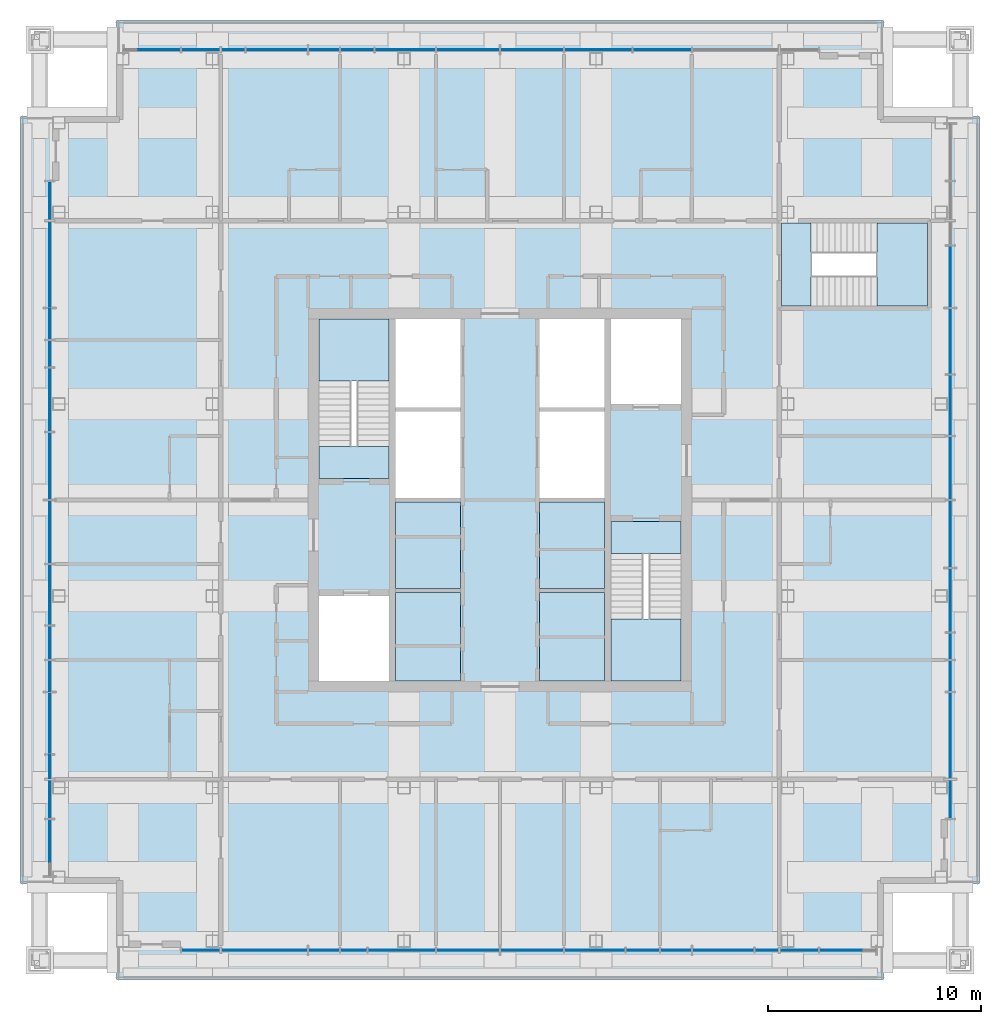
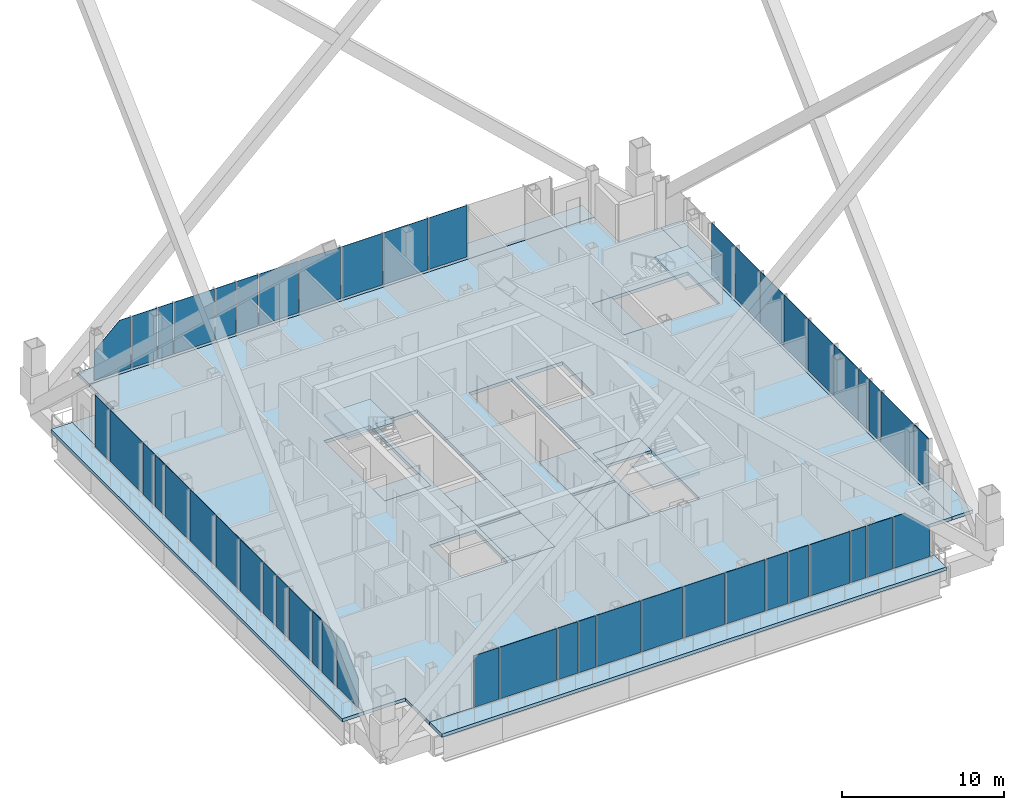
# One storey, part 11 of 19: 49 plates, 15 slabs, 7 elements without a shape of their own.
"""IFC4 building model written with IfcOpenShell, lengths in metres."""

from ifc_helpers import new_model, si_unit, direction, frame, origin, origin_2d, place, context, subcontext, project, spatial, polyline, rectangle, outline, extrude, material, layer, layer_set, type_object, element, aggregate, save


model = new_model("IFC4")

# Units and contexts
model_context = context("Model", 3, precision=1e-05, world=origin(), true_north=direction((0.0, 1.0)))
body_context = subcontext(model_context, "Body", "Model", "MODEL_VIEW")
ifc_project = project(units=[si_unit("LENGTHUNIT", "METRE"), si_unit("AREAUNIT", "SQUARE_METRE"), si_unit("VOLUMEUNIT", "CUBIC_METRE"), si_unit("PLANEANGLEUNIT", "RADIAN"), si_unit("MASSUNIT", "GRAM", prefix="KILO")], contexts=[model_context])

# Site, building, storey
site_placement = place(None, origin())
site = spatial("IfcSite", under=ifc_project, at=site_placement, CompositionType="ELEMENT")
building_placement = place(site_placement, origin())
building = spatial("IfcBuilding", under=site, at=building_placement, Name="Malebo Sky Hospital", CompositionType="ELEMENT")
storey_placement = place(building_placement, frame((0.0, 0.0, 250.0)))
storey = spatial("IfcBuildingStorey", under=building, at=storey_placement, Name="L60", CompositionType="ELEMENT", Elevation=250.0)

# Slabs
ifc_material_1 = material(Name="Concrete C40/50", Category="concrete")
ifc_layer_1 = layer(ifc_material_1, 0.25)
ifc_layer_set_1 = layer_set([ifc_layer_1], Name="COMPOSITE FLOOR SLAB 250")
slab_type_1 = type_object("IfcSlabType", Name="COMPOSITE FLOOR SLAB 250", PredefinedType="FLOOR", material=ifc_layer_set_1)
slab_1_placement = place(storey_placement, frame((0.0, 0.0, -0.25)))
element("IfcSlab", 1, at=slab_1_placement, inside=storey, type_object=slab_type_1, Name="Floor slab L60", PredefinedType="FLOOR", context=body_context, shape_type="SweptSolid", body=[
    extrude(outline(polyline([(42.0, 83.0), (42.0, 80.0), (39.0, 80.0), (39.0, 44.0), (42.0, 44.0), (42.0, 41.0), (78.0, 41.0), (78.0, 44.0), (81.0, 44.0), (81.0, 80.0), (78.0, 80.0), (78.0, 83.0), (42.0, 83.0)]), holes=[polyline([(55.10009765625, 70.5), (58.14990234375, 70.5), (58.14990234375, 53.5), (55.10009765625, 53.5), (55.10009765625, 70.5)]), polyline([(64.89990234375, 70.5), (64.89990234375, 53.5), (61.85009765625, 53.5), (61.85009765625, 70.5), (64.89990234375, 70.5)]), polyline([(54.800048828125, 63.0), (51.5, 63.0), (51.5, 70.5), (54.800048828125, 70.5), (54.800048828125, 63.0)]), polyline([(51.5, 53.5), (51.5, 57.5), (54.800048828125, 57.5), (54.800048828125, 53.5), (51.5, 53.5)]), polyline([(65.199951171875, 61.0), (68.5, 61.0), (68.5, 53.5), (65.199951171875, 53.5), (65.199951171875, 61.0)]), polyline([(68.5, 70.5), (68.5, 66.5), (65.199951171875, 66.5), (65.199951171875, 70.5), (68.5, 70.5)]), polyline([(80.050048828125, 71.10009765625), (73.199951171875, 71.10009765625), (73.199951171875, 75.0), (80.050048828125, 75.0), (80.050048828125, 71.10009765625)])]), origin(), (0.0, 0.0, 1.0), 0.25),
])
ifc_layer_2 = layer(ifc_material_1, 0.25)
ifc_layer_set_2 = layer_set([ifc_layer_2], Name="ROOF SLAB 250")
slab_type_2 = type_object("IfcSlabType", Name="ROOF SLAB 250", PredefinedType="ROOF", material=ifc_layer_set_2)
slab_2_placement = place(storey_placement, frame((0.0, 0.0, -0.25)))
element("IfcSlab", 2, at=slab_2_placement, inside=storey, type_object=slab_type_2, Name="Setback roof ledge L60 part 1", PredefinedType="ROOF", context=body_context, shape_type="SweptSolid", body=[
    extrude(outline(polyline([(78.0, 41.0), (42.0, 41.0), (42.0, 39.5), (78.0, 39.5), (78.0, 41.0)])), origin(), (0.0, 0.0, 1.0), 0.25),
])
slab_3_placement = place(storey_placement, frame((0.0, 0.0, -0.25)))
element("IfcSlab", 3, at=slab_3_placement, inside=storey, type_object=slab_type_2, Name="Setback roof ledge L60 part 2", PredefinedType="ROOF", context=body_context, shape_type="SweptSolid", body=[
    extrude(outline(polyline([(39.0, 44.0), (39.0, 80.0), (37.5, 80.0), (37.5, 44.0), (39.0, 44.0)])), origin(), (0.0, 0.0, 1.0), 0.25),
])
slab_4_placement = place(storey_placement, frame((0.0, 0.0, -0.25)))
element("IfcSlab", 4, at=slab_4_placement, inside=storey, type_object=slab_type_2, Name="Setback roof ledge L60 part 3", PredefinedType="ROOF", context=body_context, shape_type="SweptSolid", body=[
    extrude(outline(polyline([(81.0, 80.0), (81.0, 44.0), (82.5, 44.0), (82.5, 80.0), (81.0, 80.0)])), origin(), (0.0, 0.0, 1.0), 0.25),
])
slab_5_placement = place(storey_placement, frame((0.0, 0.0, -0.25)))
element("IfcSlab", 5, at=slab_5_placement, inside=storey, type_object=slab_type_2, Name="Setback roof ledge L60 part 4", PredefinedType="ROOF", context=body_context, shape_type="SweptSolid", body=[
    extrude(outline(polyline([(42.0, 83.0), (78.0, 83.0), (78.0, 84.5), (42.0, 84.5), (42.0, 83.0)])), origin(), (0.0, 0.0, 1.0), 0.25),
])
ifc_layer_3 = layer(ifc_material_1, 0.25)
ifc_layer_set_3 = layer_set([ifc_layer_3], Name="SHAFT INFILL SLAB 250")
slab_type_3 = type_object("IfcSlabType", Name="SHAFT INFILL SLAB 250", PredefinedType="FLOOR", material=ifc_layer_set_3)
slab_6_placement = place(storey_placement, frame((0.0, 0.0, -0.25)))
element("IfcSlab", 6, at=slab_6_placement, inside=storey, type_object=slab_type_3, Name="Shaft infill slab W1 L60", PredefinedType="FLOOR", context=body_context, shape_type="SweptSolid", body=[
    extrude(outline(polyline([(55.10009765625, 53.5), (58.14990234375, 53.5), (58.14990234375, 57.64990234375), (55.10009765625, 57.64990234375), (55.10009765625, 53.5)])), origin(), (0.0, 0.0, 1.0), 0.25),
])
slab_7_placement = place(storey_placement, frame((0.0, 0.0, -0.25)))
element("IfcSlab", 7, at=slab_7_placement, inside=storey, type_object=slab_type_3, Name="Shaft infill slab W2 L60", PredefinedType="FLOOR", context=body_context, shape_type="SweptSolid", body=[
    extrude(outline(polyline([(55.10009765625, 57.85009765625), (58.14990234375, 57.85009765625), (58.14990234375, 61.89990234375), (55.10009765625, 61.89990234375), (55.10009765625, 57.85009765625)])), origin(), (0.0, 0.0, 1.0), 0.25),
])
slab_8_placement = place(storey_placement, frame((0.0, 0.0, -0.25)))
element("IfcSlab", 8, at=slab_8_placement, inside=storey, type_object=slab_type_3, Name="Shaft infill slab E1 L60", PredefinedType="FLOOR", context=body_context, shape_type="SweptSolid", body=[
    extrude(outline(polyline([(61.85009765625, 53.5), (64.89990234375, 53.5), (64.89990234375, 57.64990234375), (61.85009765625, 57.64990234375), (61.85009765625, 53.5)])), origin(), (0.0, 0.0, 1.0), 0.25),
])
slab_9_placement = place(storey_placement, frame((0.0, 0.0, -0.25)))
element("IfcSlab", 9, at=slab_9_placement, inside=storey, type_object=slab_type_3, Name="Shaft infill slab E2 L60", PredefinedType="FLOOR", context=body_context, shape_type="SweptSolid", body=[
    extrude(outline(polyline([(61.85009765625, 57.85009765625), (64.89990234375, 57.85009765625), (64.89990234375, 61.89990234375), (61.85009765625, 61.89990234375), (61.85009765625, 57.85009765625)])), origin(), (0.0, 0.0, 1.0), 0.25),
])

# Stair, slabs
stair_type_1 = type_object("IfcStairType", Name="HALF-TURN STAIR 1500 R167", PredefinedType="HALF_TURN_STAIR", material=ifc_material_1)
stair_1_placement = place(storey_placement, origin())
stair_1 = element("IfcStair", 10, at=stair_1_placement, inside=storey, type_object=stair_type_1, Name="Stair S1 L60 type ST1", PredefinedType="HALF_TURN_STAIR")
ifc_layer_4 = layer(ifc_material_1, 0.199951171875)
ifc_layer_set_4 = layer_set([ifc_layer_4], Name="STAIR LANDING 200")
slab_type_4 = type_object("IfcSlabType", Name="STAIR LANDING 200", PredefinedType="LANDING", material=ifc_layer_set_4)
slab_10_placement = place(storey_placement, frame((0.0, 0.0, -0.199951171875)))
slab_10 = element("IfcSlab", 11, at=slab_10_placement, type_object=slab_type_4, Name="S1 landing 1", PredefinedType="LANDING", context=body_context, shape_type="SweptSolid", body=[
    extrude(outline(polyline([(51.5, 63.0), (54.800048828125, 63.0), (54.800048828125, 64.5), (51.5, 64.5), (51.5, 63.0)])), origin(), (0.0, 0.0, 1.0), 0.199951171875),
])
slab_11_placement = place(storey_placement, frame((0.0, 0.0, 1.800048828125)))
slab_11 = element("IfcSlab", 12, at=slab_11_placement, type_object=slab_type_4, Name="S1 landing 2", PredefinedType="LANDING", context=body_context, shape_type="SweptSolid", body=[
    extrude(outline(polyline([(51.5, 67.580078125), (54.800048828125, 67.580078125), (54.800048828125, 70.5), (51.5, 70.5), (51.5, 67.580078125)])), origin(), (0.0, 0.0, 1.0), 0.199951171875),
])
aggregate(stair_1, [slab_10, slab_11])

stair_2_placement = place(storey_placement, origin())
stair_2 = element("IfcStair", 13, at=stair_2_placement, inside=storey, type_object=stair_type_1, Name="Stair S2 L60 type ST1", PredefinedType="HALF_TURN_STAIR")
slab_12_placement = place(storey_placement, frame((0.0, 0.0, -0.199951171875)))
slab_12 = element("IfcSlab", 14, at=slab_12_placement, type_object=slab_type_4, Name="S2 landing 1", PredefinedType="LANDING", context=body_context, shape_type="SweptSolid", body=[
    extrude(outline(polyline([(65.199951171875, 59.5), (68.5, 59.5), (68.5, 61.0), (65.199951171875, 61.0), (65.199951171875, 59.5)])), origin(), (0.0, 0.0, 1.0), 0.199951171875),
])
slab_13_placement = place(storey_placement, frame((0.0, 0.0, 1.800048828125)))
slab_13 = element("IfcSlab", 15, at=slab_13_placement, type_object=slab_type_4, Name="S2 landing 2", PredefinedType="LANDING", context=body_context, shape_type="SweptSolid", body=[
    extrude(outline(polyline([(65.199951171875, 53.5), (68.5, 53.5), (68.5, 56.419921875), (65.199951171875, 56.419921875), (65.199951171875, 53.5)])), origin(), (0.0, 0.0, 1.0), 0.199951171875),
])
aggregate(stair_2, [slab_12, slab_13])

stair_type_2 = type_object("IfcStairType", Name="HALF-TURN STAIR 1400 R167", PredefinedType="HALF_TURN_STAIR", material=ifc_material_1)
stair_3_placement = place(storey_placement, origin())
stair_3 = element("IfcStair", 16, at=stair_3_placement, inside=storey, type_object=stair_type_2, Name="Stair S3 L60 type ST1B", PredefinedType="HALF_TURN_STAIR")
slab_14_placement = place(storey_placement, frame((0.0, 0.0, -0.199951171875)))
slab_14 = element("IfcSlab", 17, at=slab_14_placement, type_object=slab_type_4, Name="S3 landing 1", PredefinedType="LANDING", context=body_context, shape_type="SweptSolid", body=[
    extrude(outline(polyline([(73.199951171875, 71.10009765625), (73.199951171875, 75.0), (74.60009765625, 75.0), (74.60009765625, 71.10009765625), (73.199951171875, 71.10009765625)])), origin(), (0.0, 0.0, 1.0), 0.199951171875),
])
slab_15_placement = place(storey_placement, frame((0.0, 0.0, 1.800048828125)))
slab_15 = element("IfcSlab", 18, at=slab_15_placement, type_object=slab_type_4, Name="S3 landing 2", PredefinedType="LANDING", context=body_context, shape_type="SweptSolid", body=[
    extrude(outline(polyline([(77.679931640625, 71.10009765625), (77.679931640625, 75.0), (80.050048828125, 75.0), (80.050048828125, 71.10009765625), (77.679931640625, 71.10009765625)])), origin(), (0.0, 0.0, 1.0), 0.199951171875),
])
aggregate(stair_3, [slab_14, slab_15])

# Curtain wall, plates
ifc_material_2 = material(Name="Anodised aluminium, natural silver", Category="aluminium")
ifc_layer_5 = layer(ifc_material_2, 0.25)
ifc_layer_set_5 = layer_set([ifc_layer_5], Name="WARD CURTAIN WALL NORTH AND SOUTH")
curtain_wall_type_1 = type_object("IfcCurtainWallType", Name="WARD CURTAIN WALL NORTH AND SOUTH", PredefinedType="NOTDEFINED", material=ifc_layer_set_5)
curtain_wall_1_placement = place(storey_placement, origin())
curtain_wall_1 = element("IfcCurtainWall", 19, at=curtain_wall_1_placement, inside=storey, type_object=curtain_wall_type_1, Name="NS curtain wall N", PredefinedType="NOTDEFINED")
ifc_material_3 = material(Name="Clear low-iron double glazing", Category="glass")
ifc_layer_6 = layer(ifc_material_3, 0.031982421875)
ifc_layer_set_6 = layer_set([ifc_layer_6], Name="VISION PANEL CLEAR 32")
plate_type = type_object("IfcPlateType", Name="VISION PANEL CLEAR 32", PredefinedType="CURTAIN_PANEL", material=ifc_layer_set_6)
plate_1_placement = place(storey_placement, frame((43.682373046875, 83.125, 0.10009765625), z_axis=(0.0, 0.0, 1.0), x_axis=(1.0, 0.0, 0.0)))
plate_1 = element("IfcPlate", 20, at=plate_1_placement, type_object=plate_type, Name="Panel 1", PredefinedType="CURTAIN_PANEL", context=body_context, shape_type="SweptSolid", body=[
    extrude(outline(polyline([(-1.307373046875, 0.0), (1.307373046875, 0.0), (1.307373046875, 3.889892578125), (0.50927734375, 3.889892578125), (-1.307373046875, 2.18896484375), (-1.307373046875, 0.0)])), frame((0.0, 0.01611328125, 0.0), z_axis=(0.0, -1.0, 0.0), x_axis=(1.0, 0.0, 0.0)), (0.0, 0.0, 1.0), 0.031982421875),
])
plate_2_placement = place(storey_placement, frame((45.963623046875, 83.125, 0.10009765625), z_axis=(0.0, 0.0, 1.0), x_axis=(1.0, 0.0, 0.0)))
plate_2 = element("IfcPlate", 21, at=plate_2_placement, type_object=plate_type, Name="Panel 2", PredefinedType="CURTAIN_PANEL", context=body_context, shape_type="SweptSolid", body=[
    extrude(rectangle(XDim=1.797607421875, YDim=0.031982421875, at=origin_2d()), origin(), (0.0, 0.0, 1.0), 3.889892578125),
])
plate_3_placement = place(storey_placement, frame((47.477294921875, 83.125, 0.10009765625), z_axis=(0.0, 0.0, 1.0), x_axis=(1.0, 0.0, 0.0)))
plate_3 = element("IfcPlate", 22, at=plate_3_placement, type_object=plate_type, Name="Panel 3", PredefinedType="CURTAIN_PANEL", context=body_context, shape_type="SweptSolid", body=[
    extrude(rectangle(XDim=1.07958984375, YDim=0.031982421875, at=origin_2d()), origin(), (0.0, 0.0, 1.0), 3.889892578125),
])
plate_4_placement = place(storey_placement, frame((49.52734375, 83.125, 0.10009765625), z_axis=(0.0, 0.0, 1.0), x_axis=(1.0, 0.0, 0.0)))
plate_4 = element("IfcPlate", 23, at=plate_4_placement, type_object=plate_type, Name="Panel 4", PredefinedType="CURTAIN_PANEL", context=body_context, shape_type="SweptSolid", body=[
    extrude(rectangle(XDim=2.87060546875, YDim=0.031982421875, at=origin_2d()), origin(), (0.0, 0.0, 1.0), 3.889892578125),
])
plate_5_placement = place(storey_placement, frame((51.75, 83.125, 0.10009765625), z_axis=(0.0, 0.0, 1.0), x_axis=(1.0, 0.0, 0.0)))
plate_5 = element("IfcPlate", 24, at=plate_5_placement, type_object=plate_type, Name="Panel 5", PredefinedType="CURTAIN_PANEL", context=body_context, shape_type="SweptSolid", body=[
    extrude(rectangle(XDim=1.425048828125, YDim=0.031982421875, at=origin_2d()), origin(), (0.0, 0.0, 1.0), 3.889892578125),
])
plate_6_placement = place(storey_placement, frame((53.304443359375, 83.125, 0.10009765625), z_axis=(0.0, 0.0, 1.0), x_axis=(1.0, 0.0, 0.0)))
plate_6 = element("IfcPlate", 25, at=plate_6_placement, type_object=plate_type, Name="Panel 6", PredefinedType="CURTAIN_PANEL", context=body_context, shape_type="SweptSolid", body=[
    extrude(rectangle(XDim=1.5341796875, YDim=0.031982421875, at=origin_2d()), origin(), (0.0, 0.0, 1.0), 3.889892578125),
])
plate_7_placement = place(storey_placement, frame((55.554443359375, 83.125, 0.10009765625), z_axis=(0.0, 0.0, 1.0), x_axis=(1.0, 0.0, 0.0)))
plate_7 = element("IfcPlate", 26, at=plate_7_placement, type_object=plate_type, Name="Panel 7", PredefinedType="CURTAIN_PANEL", context=body_context, shape_type="SweptSolid", body=[
    extrude(rectangle(XDim=2.81591796875, YDim=0.031982421875, at=origin_2d()), origin(), (0.0, 0.0, 1.0), 3.889892578125),
])
plate_8_placement = place(storey_placement, frame((58.5, 83.125, 0.10009765625), z_axis=(0.0, 0.0, 1.0), x_axis=(1.0, 0.0, 0.0)))
plate_8 = element("IfcPlate", 27, at=plate_8_placement, type_object=plate_type, Name="Panel 8", PredefinedType="CURTAIN_PANEL", context=body_context, shape_type="SweptSolid", body=[
    extrude(rectangle(XDim=2.925048828125, YDim=0.031982421875, at=origin_2d()), origin(), (0.0, 0.0, 1.0), 3.889892578125),
])
plate_9_placement = place(storey_placement, frame((61.5, 83.125, 0.10009765625), z_axis=(0.0, 0.0, 1.0), x_axis=(1.0, 0.0, 0.0)))
plate_9 = element("IfcPlate", 28, at=plate_9_placement, type_object=plate_type, Name="Panel 9", PredefinedType="CURTAIN_PANEL", context=body_context, shape_type="SweptSolid", body=[
    extrude(rectangle(XDim=2.925048828125, YDim=0.031982421875, at=origin_2d()), origin(), (0.0, 0.0, 1.0), 3.889892578125),
])
plate_10_placement = place(storey_placement, frame((64.609130859375, 83.125, 0.10009765625), z_axis=(0.0, 0.0, 1.0), x_axis=(1.0, 0.0, 0.0)))
plate_10 = element("IfcPlate", 29, at=plate_10_placement, type_object=plate_type, Name="Panel 10", PredefinedType="CURTAIN_PANEL", context=body_context, shape_type="SweptSolid", body=[
    extrude(rectangle(XDim=3.143310546875, YDim=0.031982421875, at=origin_2d()), origin(), (0.0, 0.0, 1.0), 3.889892578125),
])
plate_11_placement = place(storey_placement, frame((67.609130859375, 83.125, 0.10009765625), z_axis=(0.0, 0.0, 1.0), x_axis=(1.0, 0.0, 0.0)))
plate_11 = element("IfcPlate", 30, at=plate_11_placement, type_object=plate_type, Name="Panel 11", PredefinedType="CURTAIN_PANEL", context=body_context, shape_type="SweptSolid", body=[
    extrude(rectangle(XDim=2.706787109375, YDim=0.031982421875, at=origin_2d()), origin(), (0.0, 0.0, 1.0), 3.889892578125),
])
aggregate(curtain_wall_1, [plate_1, plate_2, plate_3, plate_4, plate_5, plate_6, plate_7, plate_8, plate_9, plate_10, plate_11])

ifc_layer_7 = layer(ifc_material_2, 0.25)
ifc_layer_set_7 = layer_set([ifc_layer_7], Name="WARD CURTAIN WALL EAST AND WEST")
curtain_wall_type_2 = type_object("IfcCurtainWallType", Name="WARD CURTAIN WALL EAST AND WEST", PredefinedType="NOTDEFINED", material=ifc_layer_set_7)
curtain_wall_2_placement = place(storey_placement, origin())
curtain_wall_2 = element("IfcCurtainWall", 31, at=curtain_wall_2_placement, inside=storey, type_object=curtain_wall_type_2, Name="EW curtain wall W", PredefinedType="NOTDEFINED")
plate_12_placement = place(storey_placement, frame((38.875, 45.682373046875, 0.10009765625), z_axis=(0.0, 0.0, 1.0), x_axis=(0.0, 1.0, 0.0)))
plate_12 = element("IfcPlate", 32, at=plate_12_placement, type_object=plate_type, Name="Panel 1", PredefinedType="CURTAIN_PANEL", context=body_context, shape_type="SweptSolid", body=[
    extrude(outline(polyline([(-1.307373046875, 0.0), (1.307373046875, 0.0), (1.307373046875, 3.889892578125), (0.50927734375, 3.889892578125), (-1.307373046875, 2.18896484375), (-1.307373046875, 0.0)])), frame((0.0, 0.01611328125, 0.0), z_axis=(0.0, -1.0, 0.0), x_axis=(1.0, 0.0, 0.0)), (0.0, 0.0, 1.0), 0.031982421875),
])
plate_13_placement = place(storey_placement, frame((38.875, 47.963623046875, 0.10009765625), z_axis=(0.0, 0.0, 1.0), x_axis=(0.0, 1.0, 0.0)))
plate_13 = element("IfcPlate", 33, at=plate_13_placement, type_object=plate_type, Name="Panel 2", PredefinedType="CURTAIN_PANEL", context=body_context, shape_type="SweptSolid", body=[
    extrude(rectangle(XDim=1.797607421875, YDim=0.031982421875, at=origin_2d()), origin(), (0.0, 0.0, 1.0), 3.889892578125),
])
plate_14_placement = place(storey_placement, frame((38.875, 49.477294921875, 0.10009765625), z_axis=(0.0, 0.0, 1.0), x_axis=(0.0, 1.0, 0.0)))
plate_14 = element("IfcPlate", 34, at=plate_14_placement, type_object=plate_type, Name="Panel 3", PredefinedType="CURTAIN_PANEL", context=body_context, shape_type="SweptSolid", body=[
    extrude(rectangle(XDim=1.07958984375, YDim=0.031982421875, at=origin_2d()), origin(), (0.0, 0.0, 1.0), 3.889892578125),
])
plate_15_placement = place(storey_placement, frame((38.875, 51.52734375, 0.10009765625), z_axis=(0.0, 0.0, 1.0), x_axis=(0.0, 1.0, 0.0)))
plate_15 = element("IfcPlate", 35, at=plate_15_placement, type_object=plate_type, Name="Panel 4", PredefinedType="CURTAIN_PANEL", context=body_context, shape_type="SweptSolid", body=[
    extrude(rectangle(XDim=2.87060546875, YDim=0.031982421875, at=origin_2d()), origin(), (0.0, 0.0, 1.0), 3.889892578125),
])
plate_16_placement = place(storey_placement, frame((38.875, 53.75, 0.10009765625), z_axis=(0.0, 0.0, 1.0), x_axis=(0.0, 1.0, 0.0)))
plate_16 = element("IfcPlate", 36, at=plate_16_placement, type_object=plate_type, Name="Panel 5", PredefinedType="CURTAIN_PANEL", context=body_context, shape_type="SweptSolid", body=[
    extrude(rectangle(XDim=1.425048828125, YDim=0.031982421875, at=origin_2d()), origin(), (0.0, 0.0, 1.0), 3.889892578125),
])
plate_17_placement = place(storey_placement, frame((38.875, 55.304443359375, 0.10009765625), z_axis=(0.0, 0.0, 1.0), x_axis=(0.0, 1.0, 0.0)))
plate_17 = element("IfcPlate", 37, at=plate_17_placement, type_object=plate_type, Name="Panel 6", PredefinedType="CURTAIN_PANEL", context=body_context, shape_type="SweptSolid", body=[
    extrude(rectangle(XDim=1.5341796875, YDim=0.031982421875, at=origin_2d()), origin(), (0.0, 0.0, 1.0), 3.889892578125),
])
plate_18_placement = place(storey_placement, frame((38.875, 57.554443359375, 0.10009765625), z_axis=(0.0, 0.0, 1.0), x_axis=(0.0, 1.0, 0.0)))
plate_18 = element("IfcPlate", 38, at=plate_18_placement, type_object=plate_type, Name="Panel 7", PredefinedType="CURTAIN_PANEL", context=body_context, shape_type="SweptSolid", body=[
    extrude(rectangle(XDim=2.81591796875, YDim=0.031982421875, at=origin_2d()), origin(), (0.0, 0.0, 1.0), 3.889892578125),
])
plate_19_placement = place(storey_placement, frame((38.875, 60.5, 0.10009765625), z_axis=(0.0, 0.0, 1.0), x_axis=(0.0, 1.0, 0.0)))
plate_19 = element("IfcPlate", 39, at=plate_19_placement, type_object=plate_type, Name="Panel 8", PredefinedType="CURTAIN_PANEL", context=body_context, shape_type="SweptSolid", body=[
    extrude(rectangle(XDim=2.925048828125, YDim=0.031982421875, at=origin_2d()), origin(), (0.0, 0.0, 1.0), 3.889892578125),
])
plate_20_placement = place(storey_placement, frame((38.875, 63.595458984375, 0.10009765625), z_axis=(0.0, 0.0, 1.0), x_axis=(0.0, 1.0, 0.0)))
plate_20 = element("IfcPlate", 40, at=plate_20_placement, type_object=plate_type, Name="Panel 9", PredefinedType="CURTAIN_PANEL", context=body_context, shape_type="SweptSolid", body=[
    extrude(rectangle(XDim=3.115966796875, YDim=0.031982421875, at=origin_2d()), origin(), (0.0, 0.0, 1.0), 3.889892578125),
])
plate_21_placement = place(storey_placement, frame((38.875, 66.70458984375, 0.10009765625), z_axis=(0.0, 0.0, 1.0), x_axis=(0.0, 1.0, 0.0)))
plate_21 = element("IfcPlate", 41, at=plate_21_placement, type_object=plate_type, Name="Panel 10", PredefinedType="CURTAIN_PANEL", context=body_context, shape_type="SweptSolid", body=[
    extrude(rectangle(XDim=2.952392578125, YDim=0.031982421875, at=origin_2d()), origin(), (0.0, 0.0, 1.0), 3.889892578125),
])
plate_22_placement = place(storey_placement, frame((38.875, 68.859130859375, 0.10009765625), z_axis=(0.0, 0.0, 1.0), x_axis=(0.0, 1.0, 0.0)))
plate_22 = element("IfcPlate", 42, at=plate_22_placement, type_object=plate_type, Name="Panel 11", PredefinedType="CURTAIN_PANEL", context=body_context, shape_type="SweptSolid", body=[
    extrude(rectangle(XDim=1.206787109375, YDim=0.031982421875, at=origin_2d()), origin(), (0.0, 0.0, 1.0), 3.889892578125),
])
plate_23_placement = place(storey_placement, frame((38.875, 70.25, 0.10009765625), z_axis=(0.0, 0.0, 1.0), x_axis=(0.0, 1.0, 0.0)))
plate_23 = element("IfcPlate", 43, at=plate_23_placement, type_object=plate_type, Name="Panel 12", PredefinedType="CURTAIN_PANEL", context=body_context, shape_type="SweptSolid", body=[
    extrude(rectangle(XDim=1.425048828125, YDim=0.031982421875, at=origin_2d()), origin(), (0.0, 0.0, 1.0), 3.889892578125),
])
plate_24_placement = place(storey_placement, frame((38.875, 73.050048828125, 0.10009765625), z_axis=(0.0, 0.0, 1.0), x_axis=(0.0, 1.0, 0.0)))
plate_24 = element("IfcPlate", 44, at=plate_24_placement, type_object=plate_type, Name="Panel 13", PredefinedType="CURTAIN_PANEL", context=body_context, shape_type="SweptSolid", body=[
    extrude(rectangle(XDim=4.02490234375, YDim=0.031982421875, at=origin_2d()), origin(), (0.0, 0.0, 1.0), 3.889892578125),
])
plate_25_placement = place(storey_placement, frame((38.875, 76.03125, 0.10009765625), z_axis=(0.0, 0.0, 1.0), x_axis=(0.0, 1.0, 0.0)))
plate_25 = element("IfcPlate", 45, at=plate_25_placement, type_object=plate_type, Name="Panel 14", PredefinedType="CURTAIN_PANEL", context=body_context, shape_type="SweptSolid", body=[
    extrude(rectangle(XDim=1.78759765625, YDim=0.031982421875, at=origin_2d()), origin(), (0.0, 0.0, 1.0), 3.889892578125),
])
aggregate(curtain_wall_2, [plate_12, plate_13, plate_14, plate_15, plate_16, plate_17, plate_18, plate_19, plate_20, plate_21, plate_22, plate_23, plate_24, plate_25])

curtain_wall_3_placement = place(storey_placement, origin())
curtain_wall_3 = element("IfcCurtainWall", 46, at=curtain_wall_3_placement, inside=storey, type_object=curtain_wall_type_1, Name="NS curtain wall S", PredefinedType="NOTDEFINED")
plate_26_placement = place(storey_placement, frame((76.317626953125, 40.875, 0.10009765625), z_axis=(0.0, 0.0, 1.0), x_axis=(-1.0, 0.0, 0.0)))
plate_26 = element("IfcPlate", 47, at=plate_26_placement, type_object=plate_type, Name="Panel 1", PredefinedType="CURTAIN_PANEL", context=body_context, shape_type="SweptSolid", body=[
    extrude(outline(polyline([(-1.307373046875, 0.0), (1.307373046875, 0.0), (1.307373046875, 3.889892578125), (0.50927734375, 3.889892578125), (-1.307373046875, 2.18896484375), (-1.307373046875, 0.0)])), frame((0.0, 0.01611328125, 0.0), z_axis=(0.0, -1.0, 0.0), x_axis=(1.0, 0.0, 0.0)), (0.0, 0.0, 1.0), 0.031982421875),
])
plate_27_placement = place(storey_placement, frame((74.036376953125, 40.875, 0.10009765625), z_axis=(0.0, 0.0, 1.0), x_axis=(-1.0, 0.0, 0.0)))
plate_27 = element("IfcPlate", 48, at=plate_27_placement, type_object=plate_type, Name="Panel 2", PredefinedType="CURTAIN_PANEL", context=body_context, shape_type="SweptSolid", body=[
    extrude(rectangle(XDim=1.797607421875, YDim=0.031982421875, at=origin_2d()), origin(), (0.0, 0.0, 1.0), 3.889892578125),
])
plate_28_placement = place(storey_placement, frame((72.522705078125, 40.875, 0.10009765625), z_axis=(0.0, 0.0, 1.0), x_axis=(-1.0, 0.0, 0.0)))
plate_28 = element("IfcPlate", 49, at=plate_28_placement, type_object=plate_type, Name="Panel 3", PredefinedType="CURTAIN_PANEL", context=body_context, shape_type="SweptSolid", body=[
    extrude(rectangle(XDim=1.07958984375, YDim=0.031982421875, at=origin_2d()), origin(), (0.0, 0.0, 1.0), 3.889892578125),
])
plate_29_placement = place(storey_placement, frame((70.47265625, 40.875, 0.10009765625), z_axis=(0.0, 0.0, 1.0), x_axis=(-1.0, 0.0, 0.0)))
plate_29 = element("IfcPlate", 50, at=plate_29_placement, type_object=plate_type, Name="Panel 4", PredefinedType="CURTAIN_PANEL", context=body_context, shape_type="SweptSolid", body=[
    extrude(rectangle(XDim=2.87060546875, YDim=0.031982421875, at=origin_2d()), origin(), (0.0, 0.0, 1.0), 3.889892578125),
])
plate_30_placement = place(storey_placement, frame((68.25, 40.875, 0.10009765625), z_axis=(0.0, 0.0, 1.0), x_axis=(-1.0, 0.0, 0.0)))
plate_30 = element("IfcPlate", 51, at=plate_30_placement, type_object=plate_type, Name="Panel 5", PredefinedType="CURTAIN_PANEL", context=body_context, shape_type="SweptSolid", body=[
    extrude(rectangle(XDim=1.425048828125, YDim=0.031982421875, at=origin_2d()), origin(), (0.0, 0.0, 1.0), 3.889892578125),
])
plate_31_placement = place(storey_placement, frame((66.695556640625, 40.875, 0.10009765625), z_axis=(0.0, 0.0, 1.0), x_axis=(-1.0, 0.0, 0.0)))
plate_31 = element("IfcPlate", 52, at=plate_31_placement, type_object=plate_type, Name="Panel 6", PredefinedType="CURTAIN_PANEL", context=body_context, shape_type="SweptSolid", body=[
    extrude(rectangle(XDim=1.5341796875, YDim=0.031982421875, at=origin_2d()), origin(), (0.0, 0.0, 1.0), 3.889892578125),
])
plate_32_placement = place(storey_placement, frame((64.445556640625, 40.875, 0.10009765625), z_axis=(0.0, 0.0, 1.0), x_axis=(-1.0, 0.0, 0.0)))
plate_32 = element("IfcPlate", 53, at=plate_32_placement, type_object=plate_type, Name="Panel 7", PredefinedType="CURTAIN_PANEL", context=body_context, shape_type="SweptSolid", body=[
    extrude(rectangle(XDim=2.81591796875, YDim=0.031982421875, at=origin_2d()), origin(), (0.0, 0.0, 1.0), 3.889892578125),
])
plate_33_placement = place(storey_placement, frame((61.5, 40.875, 0.10009765625), z_axis=(0.0, 0.0, 1.0), x_axis=(-1.0, 0.0, 0.0)))
plate_33 = element("IfcPlate", 54, at=plate_33_placement, type_object=plate_type, Name="Panel 8", PredefinedType="CURTAIN_PANEL", context=body_context, shape_type="SweptSolid", body=[
    extrude(rectangle(XDim=2.925048828125, YDim=0.031982421875, at=origin_2d()), origin(), (0.0, 0.0, 1.0), 3.889892578125),
])
plate_34_placement = place(storey_placement, frame((58.5, 40.875, 0.10009765625), z_axis=(0.0, 0.0, 1.0), x_axis=(-1.0, 0.0, 0.0)))
plate_34 = element("IfcPlate", 55, at=plate_34_placement, type_object=plate_type, Name="Panel 9", PredefinedType="CURTAIN_PANEL", context=body_context, shape_type="SweptSolid", body=[
    extrude(rectangle(XDim=2.925048828125, YDim=0.031982421875, at=origin_2d()), origin(), (0.0, 0.0, 1.0), 3.889892578125),
])
plate_35_placement = place(storey_placement, frame((55.390869140625, 40.875, 0.10009765625), z_axis=(0.0, 0.0, 1.0), x_axis=(-1.0, 0.0, 0.0)))
plate_35 = element("IfcPlate", 56, at=plate_35_placement, type_object=plate_type, Name="Panel 10", PredefinedType="CURTAIN_PANEL", context=body_context, shape_type="SweptSolid", body=[
    extrude(rectangle(XDim=3.143310546875, YDim=0.031982421875, at=origin_2d()), origin(), (0.0, 0.0, 1.0), 3.889892578125),
])
plate_36_placement = place(storey_placement, frame((53.140869140625, 40.875, 0.10009765625), z_axis=(0.0, 0.0, 1.0), x_axis=(-1.0, 0.0, 0.0)))
plate_36 = element("IfcPlate", 57, at=plate_36_placement, type_object=plate_type, Name="Panel 11", PredefinedType="CURTAIN_PANEL", context=body_context, shape_type="SweptSolid", body=[
    extrude(rectangle(XDim=1.206787109375, YDim=0.031982421875, at=origin_2d()), origin(), (0.0, 0.0, 1.0), 3.889892578125),
])
plate_37_placement = place(storey_placement, frame((51.75, 40.875, 0.10009765625), z_axis=(0.0, 0.0, 1.0), x_axis=(-1.0, 0.0, 0.0)))
plate_37 = element("IfcPlate", 58, at=plate_37_placement, type_object=plate_type, Name="Panel 12", PredefinedType="CURTAIN_PANEL", context=body_context, shape_type="SweptSolid", body=[
    extrude(rectangle(XDim=1.425048828125, YDim=0.031982421875, at=origin_2d()), origin(), (0.0, 0.0, 1.0), 3.889892578125),
])
plate_38_placement = place(storey_placement, frame((48.949951171875, 40.875, 0.10009765625), z_axis=(0.0, 0.0, 1.0), x_axis=(-1.0, 0.0, 0.0)))
plate_38 = element("IfcPlate", 59, at=plate_38_placement, type_object=plate_type, Name="Panel 13", PredefinedType="CURTAIN_PANEL", context=body_context, shape_type="SweptSolid", body=[
    extrude(rectangle(XDim=4.02490234375, YDim=0.031982421875, at=origin_2d()), origin(), (0.0, 0.0, 1.0), 3.889892578125),
])
plate_39_placement = place(storey_placement, frame((45.96875, 40.875, 0.10009765625), z_axis=(0.0, 0.0, 1.0), x_axis=(-1.0, 0.0, 0.0)))
plate_39 = element("IfcPlate", 60, at=plate_39_placement, type_object=plate_type, Name="Panel 14", PredefinedType="CURTAIN_PANEL", context=body_context, shape_type="SweptSolid", body=[
    extrude(rectangle(XDim=1.78759765625, YDim=0.031982421875, at=origin_2d()), origin(), (0.0, 0.0, 1.0), 3.889892578125),
])
aggregate(curtain_wall_3, [plate_26, plate_27, plate_28, plate_29, plate_30, plate_31, plate_32, plate_33, plate_34, plate_35, plate_36, plate_37, plate_38, plate_39])

curtain_wall_4_placement = place(storey_placement, origin())
curtain_wall_4 = element("IfcCurtainWall", 61, at=curtain_wall_4_placement, inside=storey, type_object=curtain_wall_type_2, Name="EW curtain wall E", PredefinedType="NOTDEFINED")
plate_40_placement = place(storey_placement, frame((81.125, 72.47265625, 0.10009765625), z_axis=(0.0, 0.0, 1.0), x_axis=(0.0, -1.0, 0.0)))
plate_40 = element("IfcPlate", 62, at=plate_40_placement, type_object=plate_type, Name="Panel 4", PredefinedType="CURTAIN_PANEL", context=body_context, shape_type="SweptSolid", body=[
    extrude(rectangle(XDim=2.87060546875, YDim=0.031982421875, at=origin_2d()), origin(), (0.0, 0.0, 1.0), 3.889892578125),
])
plate_41_placement = place(storey_placement, frame((81.125, 69.445556640625, 0.10009765625), z_axis=(0.0, 0.0, 1.0), x_axis=(0.0, -1.0, 0.0)))
plate_41 = element("IfcPlate", 63, at=plate_41_placement, type_object=plate_type, Name="Panel 5", PredefinedType="CURTAIN_PANEL", context=body_context, shape_type="SweptSolid", body=[
    extrude(rectangle(XDim=3.0341796875, YDim=0.031982421875, at=origin_2d()), origin(), (0.0, 0.0, 1.0), 3.889892578125),
])
plate_42_placement = place(storey_placement, frame((81.125, 66.445556640625, 0.10009765625), z_axis=(0.0, 0.0, 1.0), x_axis=(0.0, -1.0, 0.0)))
plate_42 = element("IfcPlate", 64, at=plate_42_placement, type_object=plate_type, Name="Panel 6", PredefinedType="CURTAIN_PANEL", context=body_context, shape_type="SweptSolid", body=[
    extrude(rectangle(XDim=2.81591796875, YDim=0.031982421875, at=origin_2d()), origin(), (0.0, 0.0, 1.0), 3.889892578125),
])
plate_43_placement = place(storey_placement, frame((81.125, 63.5, 0.10009765625), z_axis=(0.0, 0.0, 1.0), x_axis=(0.0, -1.0, 0.0)))
plate_43 = element("IfcPlate", 65, at=plate_43_placement, type_object=plate_type, Name="Panel 7", PredefinedType="CURTAIN_PANEL", context=body_context, shape_type="SweptSolid", body=[
    extrude(rectangle(XDim=2.925048828125, YDim=0.031982421875, at=origin_2d()), origin(), (0.0, 0.0, 1.0), 3.889892578125),
])
plate_44_placement = place(storey_placement, frame((81.125, 60.404541015625, 0.10009765625), z_axis=(0.0, 0.0, 1.0), x_axis=(0.0, -1.0, 0.0)))
plate_44 = element("IfcPlate", 66, at=plate_44_placement, type_object=plate_type, Name="Panel 8", PredefinedType="CURTAIN_PANEL", context=body_context, shape_type="SweptSolid", body=[
    extrude(rectangle(XDim=3.115966796875, YDim=0.031982421875, at=origin_2d()), origin(), (0.0, 0.0, 1.0), 3.889892578125),
])
plate_45_placement = place(storey_placement, frame((81.125, 57.29541015625, 0.10009765625), z_axis=(0.0, 0.0, 1.0), x_axis=(0.0, -1.0, 0.0)))
plate_45 = element("IfcPlate", 67, at=plate_45_placement, type_object=plate_type, Name="Panel 9", PredefinedType="CURTAIN_PANEL", context=body_context, shape_type="SweptSolid", body=[
    extrude(rectangle(XDim=2.952392578125, YDim=0.031982421875, at=origin_2d()), origin(), (0.0, 0.0, 1.0), 3.889892578125),
])
plate_46_placement = place(storey_placement, frame((81.125, 55.140869140625, 0.10009765625), z_axis=(0.0, 0.0, 1.0), x_axis=(0.0, -1.0, 0.0)))
plate_46 = element("IfcPlate", 68, at=plate_46_placement, type_object=plate_type, Name="Panel 10", PredefinedType="CURTAIN_PANEL", context=body_context, shape_type="SweptSolid", body=[
    extrude(rectangle(XDim=1.206787109375, YDim=0.031982421875, at=origin_2d()), origin(), (0.0, 0.0, 1.0), 3.889892578125),
])
plate_47_placement = place(storey_placement, frame((81.125, 53.75, 0.10009765625), z_axis=(0.0, 0.0, 1.0), x_axis=(0.0, -1.0, 0.0)))
plate_47 = element("IfcPlate", 69, at=plate_47_placement, type_object=plate_type, Name="Panel 11", PredefinedType="CURTAIN_PANEL", context=body_context, shape_type="SweptSolid", body=[
    extrude(rectangle(XDim=1.425048828125, YDim=0.031982421875, at=origin_2d()), origin(), (0.0, 0.0, 1.0), 3.889892578125),
])
plate_48_placement = place(storey_placement, frame((81.125, 50.949951171875, 0.10009765625), z_axis=(0.0, 0.0, 1.0), x_axis=(0.0, -1.0, 0.0)))
plate_48 = element("IfcPlate", 70, at=plate_48_placement, type_object=plate_type, Name="Panel 12", PredefinedType="CURTAIN_PANEL", context=body_context, shape_type="SweptSolid", body=[
    extrude(rectangle(XDim=4.02490234375, YDim=0.031982421875, at=origin_2d()), origin(), (0.0, 0.0, 1.0), 3.889892578125),
])
plate_49_placement = place(storey_placement, frame((81.125, 47.96875, 0.10009765625), z_axis=(0.0, 0.0, 1.0), x_axis=(0.0, -1.0, 0.0)))
plate_49 = element("IfcPlate", 71, at=plate_49_placement, type_object=plate_type, Name="Panel 13", PredefinedType="CURTAIN_PANEL", context=body_context, shape_type="SweptSolid", body=[
    extrude(rectangle(XDim=1.78759765625, YDim=0.031982421875, at=origin_2d()), origin(), (0.0, 0.0, 1.0), 3.889892578125),
])
aggregate(curtain_wall_4, [plate_40, plate_41, plate_42, plate_43, plate_44, plate_45, plate_46, plate_47, plate_48, plate_49])

save(model, "model.ifc")
